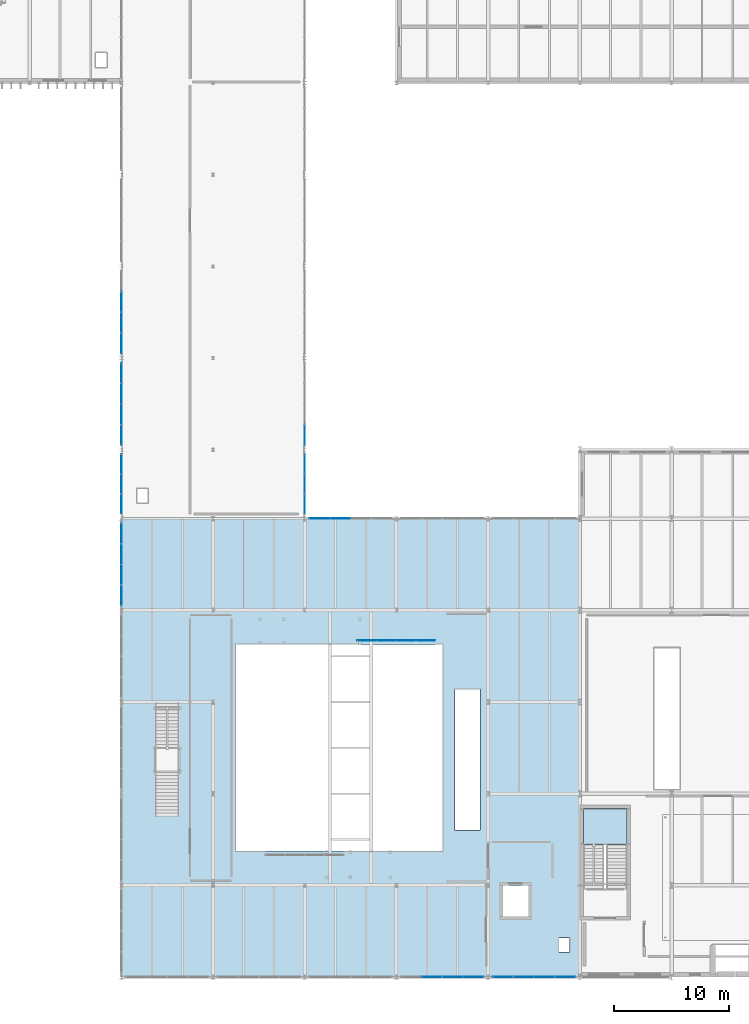
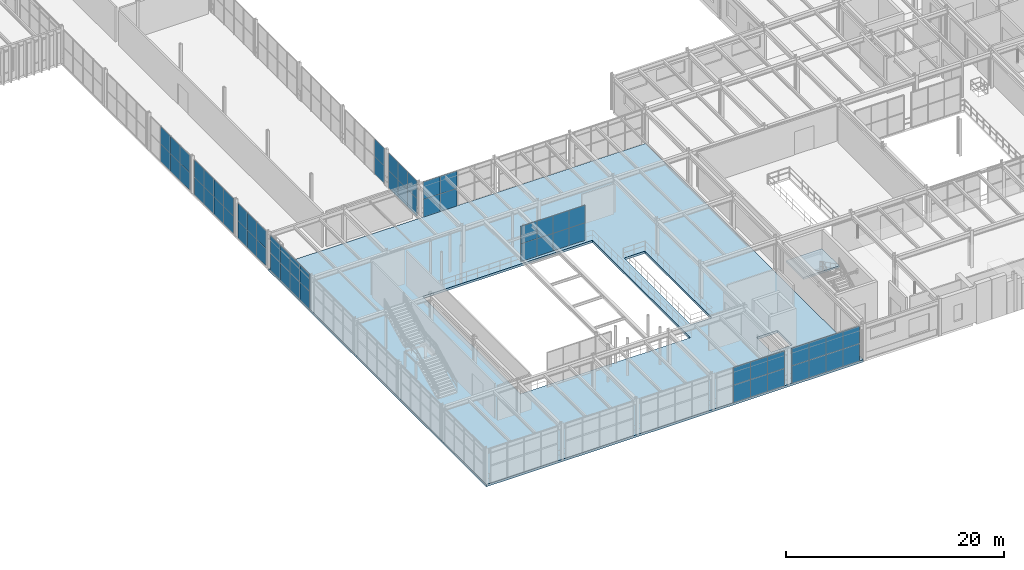
# One storey, part 69 of 122: 62 plates, 2 slabs, 11 elements without a shape of their own.
"""IFC4 building model written with IfcOpenShell, lengths in metres."""

from ifc_helpers import new_model, si_unit, direction, frame, origin, origin_2d, place, context, subcontext, project, spatial, polyline, rectangle, outline, extrude, material, layer, layer_set, type_object, element, aggregate, save


model = new_model("IFC4")

# Units and contexts
model_context = context("Model", 3, precision=1e-05, world=origin(), true_north=direction((0.0, 1.0)))
body_context = subcontext(model_context, "Body", "Model", "MODEL_VIEW")
ifc_project = project(units=[si_unit("LENGTHUNIT", "METRE"), si_unit("AREAUNIT", "SQUARE_METRE"), si_unit("VOLUMEUNIT", "CUBIC_METRE"), si_unit("PLANEANGLEUNIT", "RADIAN"), si_unit("MASSUNIT", "GRAM", prefix="KILO")], contexts=[model_context])

# Site, building, storey
site_placement = place(None, origin())
site = spatial("IfcSite", under=ifc_project, at=site_placement, CompositionType="ELEMENT")
building_placement = place(site_placement, origin())
building = spatial("IfcBuilding", under=site, at=building_placement, Name="Sundkrona Museum", CompositionType="ELEMENT")
storey_placement = place(building_placement, frame((0.0, 0.0, 5.39990234375)))
storey = spatial("IfcBuildingStorey", under=building, at=storey_placement, Name="L01", CompositionType="ELEMENT", Elevation=5.39990234375)

# Curtain wall, plates
ifc_material_1 = material(Name="Unitised Aluminium-Steel and Ceramic-Clad Curtain Walling", Category="steel")
curtain_wall_type_1 = type_object("IfcCurtainWallType", Name="CW-AT-72x38", PredefinedType="NOTDEFINED", material=ifc_material_1)
curtain_wall_1_placement = place(storey_placement, origin())
curtain_wall_1 = element("IfcCurtainWall", 1, at=curtain_wall_1_placement, inside=storey, type_object=curtain_wall_type_1, Name="L01 Curtain Wall CW-L01-031", PredefinedType="NOTDEFINED")
ifc_material_2 = material(Name="Triple Low-E Vision Glazing 32 mm", Category="glass")
ifc_layer_1 = layer(ifc_material_2, 0.031982421875)
ifc_layer_set_1 = layer_set([ifc_layer_1], Name="Triple Low-E Vision Glazing 32 mm")
plate_type_1 = type_object("IfcPlateType", Name="PN-GL-01", PredefinedType="CURTAIN_PANEL", material=ifc_layer_set_1)
plate_1_placement = place(storey_placement, frame((107.10009765625, 0.0, -0.00390625), z_axis=(0.0, 0.0, 1.0), x_axis=(1.0, 0.0, 0.0)))
plate_1 = element("IfcPlate", 2, at=plate_1_placement, type_object=plate_type_1, Name="CW-L01-031 Panel 03", PredefinedType="CURTAIN_PANEL", context=body_context, shape_type="SweptSolid", body=[
    extrude(rectangle(XDim=1.800048828125, YDim=0.031982421875, at=origin_2d()), origin(), (0.0, 0.0, 1.0), 1.97412109375),
])
plate_2_placement = place(storey_placement, frame((107.10009765625, 0.0, 1.969970703125), z_axis=(0.0, 0.0, 1.0), x_axis=(1.0, 0.0, 0.0)))
plate_2 = element("IfcPlate", 3, at=plate_2_placement, type_object=plate_type_1, Name="CW-L01-031 Panel 04", PredefinedType="CURTAIN_PANEL", context=body_context, shape_type="SweptSolid", body=[
    extrude(rectangle(XDim=1.800048828125, YDim=0.031982421875, at=origin_2d()), origin(), (0.0, 0.0, 1.0), 1.97412109375),
])
plate_3_placement = place(storey_placement, frame((108.89990234375, 0.0, -0.00390625), z_axis=(0.0, 0.0, 1.0), x_axis=(1.0, 0.0, 0.0)))
plate_3 = element("IfcPlate", 4, at=plate_3_placement, type_object=plate_type_1, Name="CW-L01-031 Panel 05", PredefinedType="CURTAIN_PANEL", context=body_context, shape_type="SweptSolid", body=[
    extrude(rectangle(XDim=1.800048828125, YDim=0.031982421875, at=origin_2d()), origin(), (0.0, 0.0, 1.0), 1.97412109375),
])
plate_4_placement = place(storey_placement, frame((108.89990234375, 0.0, 1.969970703125), z_axis=(0.0, 0.0, 1.0), x_axis=(1.0, 0.0, 0.0)))
plate_4 = element("IfcPlate", 5, at=plate_4_placement, type_object=plate_type_1, Name="CW-L01-031 Panel 06", PredefinedType="CURTAIN_PANEL", context=body_context, shape_type="SweptSolid", body=[
    extrude(rectangle(XDim=1.800048828125, YDim=0.031982421875, at=origin_2d()), origin(), (0.0, 0.0, 1.0), 1.97412109375),
])
plate_5_placement = place(storey_placement, frame((110.699951171875, 0.0, -0.00390625), z_axis=(0.0, 0.0, 1.0), x_axis=(1.0, 0.0, 0.0)))
plate_5 = element("IfcPlate", 6, at=plate_5_placement, type_object=plate_type_1, Name="CW-L01-031 Panel 07", PredefinedType="CURTAIN_PANEL", context=body_context, shape_type="SweptSolid", body=[
    extrude(rectangle(XDim=1.800048828125, YDim=0.031982421875, at=origin_2d()), origin(), (0.0, 0.0, 1.0), 1.97412109375),
])
plate_6_placement = place(storey_placement, frame((110.699951171875, 0.0, 1.969970703125), z_axis=(0.0, 0.0, 1.0), x_axis=(1.0, 0.0, 0.0)))
plate_6 = element("IfcPlate", 7, at=plate_6_placement, type_object=plate_type_1, Name="CW-L01-031 Panel 08", PredefinedType="CURTAIN_PANEL", context=body_context, shape_type="SweptSolid", body=[
    extrude(rectangle(XDim=1.800048828125, YDim=0.031982421875, at=origin_2d()), origin(), (0.0, 0.0, 1.0), 1.97412109375),
])
aggregate(curtain_wall_1, [plate_1, plate_2, plate_3, plate_4, plate_5, plate_6])

curtain_wall_2_placement = place(storey_placement, origin())
curtain_wall_2 = element("IfcCurtainWall", 8, at=curtain_wall_2_placement, inside=storey, type_object=curtain_wall_type_1, Name="L01 Curtain Wall CW-L01-032", PredefinedType="NOTDEFINED")
plate_7_placement = place(storey_placement, frame((113.300048828125, 0.0, -0.00390625), z_axis=(0.0, 0.0, 1.0), x_axis=(1.0, 0.0, 0.0)))
plate_7 = element("IfcPlate", 9, at=plate_7_placement, type_object=plate_type_1, Name="CW-L01-032 Panel 01", PredefinedType="CURTAIN_PANEL", context=body_context, shape_type="SweptSolid", body=[
    extrude(rectangle(XDim=1.800048828125, YDim=0.031982421875, at=origin_2d()), origin(), (0.0, 0.0, 1.0), 1.97412109375),
])
plate_8_placement = place(storey_placement, frame((113.300048828125, 0.0, 1.969970703125), z_axis=(0.0, 0.0, 1.0), x_axis=(1.0, 0.0, 0.0)))
plate_8 = element("IfcPlate", 10, at=plate_8_placement, type_object=plate_type_1, Name="CW-L01-032 Panel 02", PredefinedType="CURTAIN_PANEL", context=body_context, shape_type="SweptSolid", body=[
    extrude(rectangle(XDim=1.800048828125, YDim=0.031982421875, at=origin_2d()), origin(), (0.0, 0.0, 1.0), 1.97412109375),
])
plate_9_placement = place(storey_placement, frame((115.10009765625, 0.0, -0.00390625), z_axis=(0.0, 0.0, 1.0), x_axis=(1.0, 0.0, 0.0)))
plate_9 = element("IfcPlate", 11, at=plate_9_placement, type_object=plate_type_1, Name="CW-L01-032 Panel 03", PredefinedType="CURTAIN_PANEL", context=body_context, shape_type="SweptSolid", body=[
    extrude(rectangle(XDim=1.800048828125, YDim=0.031982421875, at=origin_2d()), origin(), (0.0, 0.0, 1.0), 1.97412109375),
])
plate_10_placement = place(storey_placement, frame((115.10009765625, 0.0, 1.969970703125), z_axis=(0.0, 0.0, 1.0), x_axis=(1.0, 0.0, 0.0)))
plate_10 = element("IfcPlate", 12, at=plate_10_placement, type_object=plate_type_1, Name="CW-L01-032 Panel 04", PredefinedType="CURTAIN_PANEL", context=body_context, shape_type="SweptSolid", body=[
    extrude(rectangle(XDim=1.800048828125, YDim=0.031982421875, at=origin_2d()), origin(), (0.0, 0.0, 1.0), 1.97412109375),
])
plate_11_placement = place(storey_placement, frame((116.89990234375, 0.0, -0.00390625), z_axis=(0.0, 0.0, 1.0), x_axis=(1.0, 0.0, 0.0)))
plate_11 = element("IfcPlate", 13, at=plate_11_placement, type_object=plate_type_1, Name="CW-L01-032 Panel 05", PredefinedType="CURTAIN_PANEL", context=body_context, shape_type="SweptSolid", body=[
    extrude(rectangle(XDim=1.800048828125, YDim=0.031982421875, at=origin_2d()), origin(), (0.0, 0.0, 1.0), 1.97412109375),
])
plate_12_placement = place(storey_placement, frame((116.89990234375, 0.0, 1.969970703125), z_axis=(0.0, 0.0, 1.0), x_axis=(1.0, 0.0, 0.0)))
plate_12 = element("IfcPlate", 14, at=plate_12_placement, type_object=plate_type_1, Name="CW-L01-032 Panel 06", PredefinedType="CURTAIN_PANEL", context=body_context, shape_type="SweptSolid", body=[
    extrude(rectangle(XDim=1.800048828125, YDim=0.031982421875, at=origin_2d()), origin(), (0.0, 0.0, 1.0), 1.97412109375),
])
plate_13_placement = place(storey_placement, frame((118.699951171875, 0.0, -0.00390625), z_axis=(0.0, 0.0, 1.0), x_axis=(1.0, 0.0, 0.0)))
plate_13 = element("IfcPlate", 15, at=plate_13_placement, type_object=plate_type_1, Name="CW-L01-032 Panel 07", PredefinedType="CURTAIN_PANEL", context=body_context, shape_type="SweptSolid", body=[
    extrude(rectangle(XDim=1.800048828125, YDim=0.031982421875, at=origin_2d()), origin(), (0.0, 0.0, 1.0), 1.97412109375),
])
plate_14_placement = place(storey_placement, frame((118.699951171875, 0.0, 1.969970703125), z_axis=(0.0, 0.0, 1.0), x_axis=(1.0, 0.0, 0.0)))
plate_14 = element("IfcPlate", 16, at=plate_14_placement, type_object=plate_type_1, Name="CW-L01-032 Panel 08", PredefinedType="CURTAIN_PANEL", context=body_context, shape_type="SweptSolid", body=[
    extrude(rectangle(XDim=1.800048828125, YDim=0.031982421875, at=origin_2d()), origin(), (0.0, 0.0, 1.0), 1.97412109375),
])
aggregate(curtain_wall_2, [plate_7, plate_8, plate_9, plate_10, plate_11, plate_12, plate_13, plate_14])

curtain_wall_3_placement = place(storey_placement, origin())
curtain_wall_3 = element("IfcCurtainWall", 17, at=curtain_wall_3_placement, inside=storey, type_object=curtain_wall_type_1, Name="L01 Curtain Wall CW-L01-037", PredefinedType="NOTDEFINED")
plate_15_placement = place(storey_placement, frame((80.0, 33.300048828125, -0.00390625), z_axis=(0.0, 0.0, 1.0), x_axis=(0.0, 1.0, 0.0)))
plate_15 = element("IfcPlate", 18, at=plate_15_placement, type_object=plate_type_1, Name="CW-L01-037 Panel 01", PredefinedType="CURTAIN_PANEL", context=body_context, shape_type="SweptSolid", body=[
    extrude(rectangle(XDim=1.800048828125, YDim=0.031982421875, at=origin_2d()), origin(), (0.0, 0.0, 1.0), 1.97412109375),
])
plate_16_placement = place(storey_placement, frame((80.0, 33.300048828125, 1.969970703125), z_axis=(0.0, 0.0, 1.0), x_axis=(0.0, 1.0, 0.0)))
plate_16 = element("IfcPlate", 19, at=plate_16_placement, type_object=plate_type_1, Name="CW-L01-037 Panel 02", PredefinedType="CURTAIN_PANEL", context=body_context, shape_type="SweptSolid", body=[
    extrude(rectangle(XDim=1.800048828125, YDim=0.031982421875, at=origin_2d()), origin(), (0.0, 0.0, 1.0), 1.97412109375),
])
plate_17_placement = place(storey_placement, frame((80.0, 35.10009765625, -0.00390625), z_axis=(0.0, 0.0, 1.0), x_axis=(0.0, 1.0, 0.0)))
plate_17 = element("IfcPlate", 20, at=plate_17_placement, type_object=plate_type_1, Name="CW-L01-037 Panel 03", PredefinedType="CURTAIN_PANEL", context=body_context, shape_type="SweptSolid", body=[
    extrude(rectangle(XDim=1.800048828125, YDim=0.031982421875, at=origin_2d()), origin(), (0.0, 0.0, 1.0), 1.97412109375),
])
plate_18_placement = place(storey_placement, frame((80.0, 35.10009765625, 1.969970703125), z_axis=(0.0, 0.0, 1.0), x_axis=(0.0, 1.0, 0.0)))
plate_18 = element("IfcPlate", 21, at=plate_18_placement, type_object=plate_type_1, Name="CW-L01-037 Panel 04", PredefinedType="CURTAIN_PANEL", context=body_context, shape_type="SweptSolid", body=[
    extrude(rectangle(XDim=1.800048828125, YDim=0.031982421875, at=origin_2d()), origin(), (0.0, 0.0, 1.0), 1.97412109375),
])
plate_19_placement = place(storey_placement, frame((80.0, 36.89990234375, -0.00390625), z_axis=(0.0, 0.0, 1.0), x_axis=(0.0, 1.0, 0.0)))
plate_19 = element("IfcPlate", 22, at=plate_19_placement, type_object=plate_type_1, Name="CW-L01-037 Panel 05", PredefinedType="CURTAIN_PANEL", context=body_context, shape_type="SweptSolid", body=[
    extrude(rectangle(XDim=1.800048828125, YDim=0.031982421875, at=origin_2d()), origin(), (0.0, 0.0, 1.0), 1.97412109375),
])
plate_20_placement = place(storey_placement, frame((80.0, 36.89990234375, 1.969970703125), z_axis=(0.0, 0.0, 1.0), x_axis=(0.0, 1.0, 0.0)))
plate_20 = element("IfcPlate", 23, at=plate_20_placement, type_object=plate_type_1, Name="CW-L01-037 Panel 06", PredefinedType="CURTAIN_PANEL", context=body_context, shape_type="SweptSolid", body=[
    extrude(rectangle(XDim=1.800048828125, YDim=0.031982421875, at=origin_2d()), origin(), (0.0, 0.0, 1.0), 1.97412109375),
])
plate_21_placement = place(storey_placement, frame((80.0, 38.699951171875, -0.00390625), z_axis=(0.0, 0.0, 1.0), x_axis=(0.0, 1.0, 0.0)))
plate_21 = element("IfcPlate", 24, at=plate_21_placement, type_object=plate_type_1, Name="CW-L01-037 Panel 07", PredefinedType="CURTAIN_PANEL", context=body_context, shape_type="SweptSolid", body=[
    extrude(rectangle(XDim=1.800048828125, YDim=0.031982421875, at=origin_2d()), origin(), (0.0, 0.0, 1.0), 1.97412109375),
])
plate_22_placement = place(storey_placement, frame((80.0, 38.699951171875, 1.969970703125), z_axis=(0.0, 0.0, 1.0), x_axis=(0.0, 1.0, 0.0)))
plate_22 = element("IfcPlate", 25, at=plate_22_placement, type_object=plate_type_1, Name="CW-L01-037 Panel 08", PredefinedType="CURTAIN_PANEL", context=body_context, shape_type="SweptSolid", body=[
    extrude(rectangle(XDim=1.800048828125, YDim=0.031982421875, at=origin_2d()), origin(), (0.0, 0.0, 1.0), 1.97412109375),
])
aggregate(curtain_wall_3, [plate_15, plate_16, plate_17, plate_18, plate_19, plate_20, plate_21, plate_22])

curtain_wall_4_placement = place(storey_placement, origin())
curtain_wall_4 = element("IfcCurtainWall", 26, at=curtain_wall_4_placement, inside=storey, type_object=curtain_wall_type_1, Name="L01 Curtain Wall CW-L01-038", PredefinedType="NOTDEFINED")
plate_23_placement = place(storey_placement, frame((97.300048828125, 40.0, -0.00390625), z_axis=(0.0, 0.0, 1.0), x_axis=(1.0, 0.0, 0.0)))
plate_23 = element("IfcPlate", 27, at=plate_23_placement, type_object=plate_type_1, Name="CW-L01-038 Panel 01", PredefinedType="CURTAIN_PANEL", context=body_context, shape_type="SweptSolid", body=[
    extrude(rectangle(XDim=1.800048828125, YDim=0.031982421875, at=origin_2d()), origin(), (0.0, 0.0, 1.0), 1.97412109375),
])
plate_24_placement = place(storey_placement, frame((97.300048828125, 40.0, 1.969970703125), z_axis=(0.0, 0.0, 1.0), x_axis=(1.0, 0.0, 0.0)))
plate_24 = element("IfcPlate", 28, at=plate_24_placement, type_object=plate_type_1, Name="CW-L01-038 Panel 02", PredefinedType="CURTAIN_PANEL", context=body_context, shape_type="SweptSolid", body=[
    extrude(rectangle(XDim=1.800048828125, YDim=0.031982421875, at=origin_2d()), origin(), (0.0, 0.0, 1.0), 1.97412109375),
])
plate_25_placement = place(storey_placement, frame((99.10009765625, 40.0, -0.00390625), z_axis=(0.0, 0.0, 1.0), x_axis=(1.0, 0.0, 0.0)))
plate_25 = element("IfcPlate", 29, at=plate_25_placement, type_object=plate_type_1, Name="CW-L01-038 Panel 03", PredefinedType="CURTAIN_PANEL", context=body_context, shape_type="SweptSolid", body=[
    extrude(rectangle(XDim=1.800048828125, YDim=0.031982421875, at=origin_2d()), origin(), (0.0, 0.0, 1.0), 1.97412109375),
])
plate_26_placement = place(storey_placement, frame((99.10009765625, 40.0, 1.969970703125), z_axis=(0.0, 0.0, 1.0), x_axis=(1.0, 0.0, 0.0)))
plate_26 = element("IfcPlate", 30, at=plate_26_placement, type_object=plate_type_1, Name="CW-L01-038 Panel 04", PredefinedType="CURTAIN_PANEL", context=body_context, shape_type="SweptSolid", body=[
    extrude(rectangle(XDim=1.800048828125, YDim=0.031982421875, at=origin_2d()), origin(), (0.0, 0.0, 1.0), 1.97412109375),
])
aggregate(curtain_wall_4, [plate_23, plate_24, plate_25, plate_26])

curtain_wall_type_2 = type_object("IfcCurtainWallType", Name="CW-PS-54x38", PredefinedType="NOTDEFINED", material=ifc_material_1)
curtain_wall_5_placement = place(storey_placement, origin())
curtain_wall_5 = element("IfcCurtainWall", 31, at=curtain_wall_5_placement, inside=storey, type_object=curtain_wall_type_2, Name="L01 Curtain Wall CW-L01-108", PredefinedType="NOTDEFINED")
plate_27_placement = place(storey_placement, frame((80.0, 41.2666015625, -0.00390625), z_axis=(0.0, 0.0, 1.0), x_axis=(0.0, 1.0, 0.0)))
plate_27 = element("IfcPlate", 32, at=plate_27_placement, type_object=plate_type_1, Name="CW-L01-108 Panel 01", PredefinedType="CURTAIN_PANEL", context=body_context, shape_type="SweptSolid", body=[
    extrude(rectangle(XDim=1.7333984375, YDim=0.031982421875, at=origin_2d()), origin(), (0.0, 0.0, 1.0), 1.964111328125),
])
plate_28_placement = place(storey_placement, frame((80.0, 41.2666015625, 1.9599609375), z_axis=(0.0, 0.0, 1.0), x_axis=(0.0, 1.0, 0.0)))
plate_28 = element("IfcPlate", 33, at=plate_28_placement, type_object=plate_type_1, Name="CW-L01-108 Panel 02", PredefinedType="CURTAIN_PANEL", context=body_context, shape_type="SweptSolid", body=[
    extrude(rectangle(XDim=1.7333984375, YDim=0.031982421875, at=origin_2d()), origin(), (0.0, 0.0, 1.0), 1.964111328125),
])
plate_29_placement = place(storey_placement, frame((80.0, 43.0, -0.00390625), z_axis=(0.0, 0.0, 1.0), x_axis=(0.0, 1.0, 0.0)))
plate_29 = element("IfcPlate", 34, at=plate_29_placement, type_object=plate_type_1, Name="CW-L01-108 Panel 03", PredefinedType="CURTAIN_PANEL", context=body_context, shape_type="SweptSolid", body=[
    extrude(rectangle(XDim=1.7333984375, YDim=0.031982421875, at=origin_2d()), origin(), (0.0, 0.0, 1.0), 1.964111328125),
])
plate_30_placement = place(storey_placement, frame((80.0, 43.0, 1.9599609375), z_axis=(0.0, 0.0, 1.0), x_axis=(0.0, 1.0, 0.0)))
plate_30 = element("IfcPlate", 35, at=plate_30_placement, type_object=plate_type_1, Name="CW-L01-108 Panel 04", PredefinedType="CURTAIN_PANEL", context=body_context, shape_type="SweptSolid", body=[
    extrude(rectangle(XDim=1.7333984375, YDim=0.031982421875, at=origin_2d()), origin(), (0.0, 0.0, 1.0), 1.964111328125),
])
plate_31_placement = place(storey_placement, frame((80.0, 44.7333984375, -0.00390625), z_axis=(0.0, 0.0, 1.0), x_axis=(0.0, 1.0, 0.0)))
plate_31 = element("IfcPlate", 36, at=plate_31_placement, type_object=plate_type_1, Name="CW-L01-108 Panel 05", PredefinedType="CURTAIN_PANEL", context=body_context, shape_type="SweptSolid", body=[
    extrude(rectangle(XDim=1.7333984375, YDim=0.031982421875, at=origin_2d()), origin(), (0.0, 0.0, 1.0), 1.964111328125),
])
plate_32_placement = place(storey_placement, frame((80.0, 44.7333984375, 1.9599609375), z_axis=(0.0, 0.0, 1.0), x_axis=(0.0, 1.0, 0.0)))
plate_32 = element("IfcPlate", 37, at=plate_32_placement, type_object=plate_type_1, Name="CW-L01-108 Panel 06", PredefinedType="CURTAIN_PANEL", context=body_context, shape_type="SweptSolid", body=[
    extrude(rectangle(XDim=1.7333984375, YDim=0.031982421875, at=origin_2d()), origin(), (0.0, 0.0, 1.0), 1.964111328125),
])
aggregate(curtain_wall_5, [plate_27, plate_28, plate_29, plate_30, plate_31, plate_32])

curtain_wall_6_placement = place(storey_placement, origin())
curtain_wall_6 = element("IfcCurtainWall", 38, at=curtain_wall_6_placement, inside=storey, type_object=curtain_wall_type_2, Name="L01 Curtain Wall CW-L01-109", PredefinedType="NOTDEFINED")
plate_33_placement = place(storey_placement, frame((96.0, 41.2666015625, -0.00390625), z_axis=(0.0, 0.0, 1.0), x_axis=(0.0, 1.0, 0.0)))
plate_33 = element("IfcPlate", 39, at=plate_33_placement, type_object=plate_type_1, Name="CW-L01-109 Panel 01", PredefinedType="CURTAIN_PANEL", context=body_context, shape_type="SweptSolid", body=[
    extrude(rectangle(XDim=1.7333984375, YDim=0.031982421875, at=origin_2d()), origin(), (0.0, 0.0, 1.0), 1.964111328125),
])
plate_34_placement = place(storey_placement, frame((96.0, 41.2666015625, 1.9599609375), z_axis=(0.0, 0.0, 1.0), x_axis=(0.0, 1.0, 0.0)))
plate_34 = element("IfcPlate", 40, at=plate_34_placement, type_object=plate_type_1, Name="CW-L01-109 Panel 02", PredefinedType="CURTAIN_PANEL", context=body_context, shape_type="SweptSolid", body=[
    extrude(rectangle(XDim=1.7333984375, YDim=0.031982421875, at=origin_2d()), origin(), (0.0, 0.0, 1.0), 1.964111328125),
])
plate_35_placement = place(storey_placement, frame((96.0, 43.0, -0.00390625), z_axis=(0.0, 0.0, 1.0), x_axis=(0.0, 1.0, 0.0)))
plate_35 = element("IfcPlate", 41, at=plate_35_placement, type_object=plate_type_1, Name="CW-L01-109 Panel 03", PredefinedType="CURTAIN_PANEL", context=body_context, shape_type="SweptSolid", body=[
    extrude(rectangle(XDim=1.7333984375, YDim=0.031982421875, at=origin_2d()), origin(), (0.0, 0.0, 1.0), 1.964111328125),
])
plate_36_placement = place(storey_placement, frame((96.0, 43.0, 1.9599609375), z_axis=(0.0, 0.0, 1.0), x_axis=(0.0, 1.0, 0.0)))
plate_36 = element("IfcPlate", 42, at=plate_36_placement, type_object=plate_type_1, Name="CW-L01-109 Panel 04", PredefinedType="CURTAIN_PANEL", context=body_context, shape_type="SweptSolid", body=[
    extrude(rectangle(XDim=1.7333984375, YDim=0.031982421875, at=origin_2d()), origin(), (0.0, 0.0, 1.0), 1.964111328125),
])
plate_37_placement = place(storey_placement, frame((96.0, 44.7333984375, -0.00390625), z_axis=(0.0, 0.0, 1.0), x_axis=(0.0, 1.0, 0.0)))
plate_37 = element("IfcPlate", 43, at=plate_37_placement, type_object=plate_type_1, Name="CW-L01-109 Panel 05", PredefinedType="CURTAIN_PANEL", context=body_context, shape_type="SweptSolid", body=[
    extrude(rectangle(XDim=1.7333984375, YDim=0.031982421875, at=origin_2d()), origin(), (0.0, 0.0, 1.0), 1.964111328125),
])
plate_38_placement = place(storey_placement, frame((96.0, 44.7333984375, 1.9599609375), z_axis=(0.0, 0.0, 1.0), x_axis=(0.0, 1.0, 0.0)))
plate_38 = element("IfcPlate", 44, at=plate_38_placement, type_object=plate_type_1, Name="CW-L01-109 Panel 06", PredefinedType="CURTAIN_PANEL", context=body_context, shape_type="SweptSolid", body=[
    extrude(rectangle(XDim=1.7333984375, YDim=0.031982421875, at=origin_2d()), origin(), (0.0, 0.0, 1.0), 1.964111328125),
])
aggregate(curtain_wall_6, [plate_33, plate_34, plate_35, plate_36, plate_37, plate_38])

curtain_wall_7_placement = place(storey_placement, origin())
curtain_wall_7 = element("IfcCurtainWall", 45, at=curtain_wall_7_placement, inside=storey, type_object=curtain_wall_type_2, Name="L01 Curtain Wall CW-L01-110", PredefinedType="NOTDEFINED")
plate_39_placement = place(storey_placement, frame((80.0, 47.300048828125, -0.00390625), z_axis=(0.0, 0.0, 1.0), x_axis=(0.0, 1.0, 0.0)))
plate_39 = element("IfcPlate", 46, at=plate_39_placement, type_object=plate_type_1, Name="CW-L01-110 Panel 01", PredefinedType="CURTAIN_PANEL", context=body_context, shape_type="SweptSolid", body=[
    extrude(rectangle(XDim=1.800048828125, YDim=0.031982421875, at=origin_2d()), origin(), (0.0, 0.0, 1.0), 1.964111328125),
])
plate_40_placement = place(storey_placement, frame((80.0, 47.300048828125, 1.9599609375), z_axis=(0.0, 0.0, 1.0), x_axis=(0.0, 1.0, 0.0)))
plate_40 = element("IfcPlate", 47, at=plate_40_placement, type_object=plate_type_1, Name="CW-L01-110 Panel 02", PredefinedType="CURTAIN_PANEL", context=body_context, shape_type="SweptSolid", body=[
    extrude(rectangle(XDim=1.800048828125, YDim=0.031982421875, at=origin_2d()), origin(), (0.0, 0.0, 1.0), 1.964111328125),
])
plate_41_placement = place(storey_placement, frame((80.0, 49.10009765625, -0.00390625), z_axis=(0.0, 0.0, 1.0), x_axis=(0.0, 1.0, 0.0)))
plate_41 = element("IfcPlate", 48, at=plate_41_placement, type_object=plate_type_1, Name="CW-L01-110 Panel 03", PredefinedType="CURTAIN_PANEL", context=body_context, shape_type="SweptSolid", body=[
    extrude(rectangle(XDim=1.800048828125, YDim=0.031982421875, at=origin_2d()), origin(), (0.0, 0.0, 1.0), 1.964111328125),
])
plate_42_placement = place(storey_placement, frame((80.0, 49.10009765625, 1.9599609375), z_axis=(0.0, 0.0, 1.0), x_axis=(0.0, 1.0, 0.0)))
plate_42 = element("IfcPlate", 49, at=plate_42_placement, type_object=plate_type_1, Name="CW-L01-110 Panel 04", PredefinedType="CURTAIN_PANEL", context=body_context, shape_type="SweptSolid", body=[
    extrude(rectangle(XDim=1.800048828125, YDim=0.031982421875, at=origin_2d()), origin(), (0.0, 0.0, 1.0), 1.964111328125),
])
plate_43_placement = place(storey_placement, frame((80.0, 50.89990234375, -0.00390625), z_axis=(0.0, 0.0, 1.0), x_axis=(0.0, 1.0, 0.0)))
plate_43 = element("IfcPlate", 50, at=plate_43_placement, type_object=plate_type_1, Name="CW-L01-110 Panel 05", PredefinedType="CURTAIN_PANEL", context=body_context, shape_type="SweptSolid", body=[
    extrude(rectangle(XDim=1.800048828125, YDim=0.031982421875, at=origin_2d()), origin(), (0.0, 0.0, 1.0), 1.964111328125),
])
plate_44_placement = place(storey_placement, frame((80.0, 50.89990234375, 1.9599609375), z_axis=(0.0, 0.0, 1.0), x_axis=(0.0, 1.0, 0.0)))
plate_44 = element("IfcPlate", 51, at=plate_44_placement, type_object=plate_type_1, Name="CW-L01-110 Panel 06", PredefinedType="CURTAIN_PANEL", context=body_context, shape_type="SweptSolid", body=[
    extrude(rectangle(XDim=1.800048828125, YDim=0.031982421875, at=origin_2d()), origin(), (0.0, 0.0, 1.0), 1.964111328125),
])
plate_45_placement = place(storey_placement, frame((80.0, 52.699951171875, -0.00390625), z_axis=(0.0, 0.0, 1.0), x_axis=(0.0, 1.0, 0.0)))
plate_45 = element("IfcPlate", 52, at=plate_45_placement, type_object=plate_type_1, Name="CW-L01-110 Panel 07", PredefinedType="CURTAIN_PANEL", context=body_context, shape_type="SweptSolid", body=[
    extrude(rectangle(XDim=1.800048828125, YDim=0.031982421875, at=origin_2d()), origin(), (0.0, 0.0, 1.0), 1.964111328125),
])
plate_46_placement = place(storey_placement, frame((80.0, 52.699951171875, 1.9599609375), z_axis=(0.0, 0.0, 1.0), x_axis=(0.0, 1.0, 0.0)))
plate_46 = element("IfcPlate", 53, at=plate_46_placement, type_object=plate_type_1, Name="CW-L01-110 Panel 08", PredefinedType="CURTAIN_PANEL", context=body_context, shape_type="SweptSolid", body=[
    extrude(rectangle(XDim=1.800048828125, YDim=0.031982421875, at=origin_2d()), origin(), (0.0, 0.0, 1.0), 1.964111328125),
])
aggregate(curtain_wall_7, [plate_39, plate_40, plate_41, plate_42, plate_43, plate_44, plate_45, plate_46])

curtain_wall_8_placement = place(storey_placement, origin())
curtain_wall_8 = element("IfcCurtainWall", 54, at=curtain_wall_8_placement, inside=storey, type_object=curtain_wall_type_2, Name="L01 Curtain Wall CW-L01-111", PredefinedType="NOTDEFINED")
plate_47_placement = place(storey_placement, frame((96.0, 47.300048828125, -0.00390625), z_axis=(0.0, 0.0, 1.0), x_axis=(0.0, 1.0, 0.0)))
plate_47 = element("IfcPlate", 55, at=plate_47_placement, type_object=plate_type_1, Name="CW-L01-111 Panel 01", PredefinedType="CURTAIN_PANEL", context=body_context, shape_type="SweptSolid", body=[
    extrude(rectangle(XDim=1.800048828125, YDim=0.031982421875, at=origin_2d()), origin(), (0.0, 0.0, 1.0), 1.964111328125),
])
plate_48_placement = place(storey_placement, frame((96.0, 47.300048828125, 1.9599609375), z_axis=(0.0, 0.0, 1.0), x_axis=(0.0, 1.0, 0.0)))
plate_48 = element("IfcPlate", 56, at=plate_48_placement, type_object=plate_type_1, Name="CW-L01-111 Panel 02", PredefinedType="CURTAIN_PANEL", context=body_context, shape_type="SweptSolid", body=[
    extrude(rectangle(XDim=1.800048828125, YDim=0.031982421875, at=origin_2d()), origin(), (0.0, 0.0, 1.0), 1.964111328125),
])
aggregate(curtain_wall_8, [plate_47, plate_48])

curtain_wall_9_placement = place(storey_placement, origin())
curtain_wall_9 = element("IfcCurtainWall", 57, at=curtain_wall_9_placement, inside=storey, type_object=curtain_wall_type_2, Name="L01 Curtain Wall CW-L01-112", PredefinedType="NOTDEFINED")
plate_49_placement = place(storey_placement, frame((80.0, 55.300048828125, -0.00390625), z_axis=(0.0, 0.0, 1.0), x_axis=(0.0, 1.0, 0.0)))
plate_49 = element("IfcPlate", 58, at=plate_49_placement, type_object=plate_type_1, Name="CW-L01-112 Panel 01", PredefinedType="CURTAIN_PANEL", context=body_context, shape_type="SweptSolid", body=[
    extrude(rectangle(XDim=1.800048828125, YDim=0.031982421875, at=origin_2d()), origin(), (0.0, 0.0, 1.0), 1.964111328125),
])
plate_50_placement = place(storey_placement, frame((80.0, 55.300048828125, 1.9599609375), z_axis=(0.0, 0.0, 1.0), x_axis=(0.0, 1.0, 0.0)))
plate_50 = element("IfcPlate", 59, at=plate_50_placement, type_object=plate_type_1, Name="CW-L01-112 Panel 02", PredefinedType="CURTAIN_PANEL", context=body_context, shape_type="SweptSolid", body=[
    extrude(rectangle(XDim=1.800048828125, YDim=0.031982421875, at=origin_2d()), origin(), (0.0, 0.0, 1.0), 1.964111328125),
])
plate_51_placement = place(storey_placement, frame((80.0, 57.10009765625, -0.00390625), z_axis=(0.0, 0.0, 1.0), x_axis=(0.0, 1.0, 0.0)))
plate_51 = element("IfcPlate", 60, at=plate_51_placement, type_object=plate_type_1, Name="CW-L01-112 Panel 03", PredefinedType="CURTAIN_PANEL", context=body_context, shape_type="SweptSolid", body=[
    extrude(rectangle(XDim=1.800048828125, YDim=0.031982421875, at=origin_2d()), origin(), (0.0, 0.0, 1.0), 1.964111328125),
])
plate_52_placement = place(storey_placement, frame((80.0, 57.10009765625, 1.9599609375), z_axis=(0.0, 0.0, 1.0), x_axis=(0.0, 1.0, 0.0)))
plate_52 = element("IfcPlate", 61, at=plate_52_placement, type_object=plate_type_1, Name="CW-L01-112 Panel 04", PredefinedType="CURTAIN_PANEL", context=body_context, shape_type="SweptSolid", body=[
    extrude(rectangle(XDim=1.800048828125, YDim=0.031982421875, at=origin_2d()), origin(), (0.0, 0.0, 1.0), 1.964111328125),
])
plate_53_placement = place(storey_placement, frame((80.0, 58.89990234375, -0.00390625), z_axis=(0.0, 0.0, 1.0), x_axis=(0.0, 1.0, 0.0)))
plate_53 = element("IfcPlate", 62, at=plate_53_placement, type_object=plate_type_1, Name="CW-L01-112 Panel 05", PredefinedType="CURTAIN_PANEL", context=body_context, shape_type="SweptSolid", body=[
    extrude(rectangle(XDim=1.800048828125, YDim=0.031982421875, at=origin_2d()), origin(), (0.0, 0.0, 1.0), 1.964111328125),
])
plate_54_placement = place(storey_placement, frame((80.0, 58.89990234375, 1.9599609375), z_axis=(0.0, 0.0, 1.0), x_axis=(0.0, 1.0, 0.0)))
plate_54 = element("IfcPlate", 63, at=plate_54_placement, type_object=plate_type_1, Name="CW-L01-112 Panel 06", PredefinedType="CURTAIN_PANEL", context=body_context, shape_type="SweptSolid", body=[
    extrude(rectangle(XDim=1.800048828125, YDim=0.031982421875, at=origin_2d()), origin(), (0.0, 0.0, 1.0), 1.964111328125),
])
aggregate(curtain_wall_9, [plate_49, plate_50, plate_51, plate_52, plate_53, plate_54])

curtain_wall_type_3 = type_object("IfcCurtainWallType", Name="CW-IN-68x36", PredefinedType="NOTDEFINED", material=ifc_material_1)
curtain_wall_10_placement = place(storey_placement, origin())
curtain_wall_10 = element("IfcCurtainWall", 64, at=curtain_wall_10_placement, inside=storey, type_object=curtain_wall_type_3, Name="L01 Curtain Wall CW-L01-042", PredefinedType="NOTDEFINED")
ifc_material_3 = material(Name="Tempered Laminated Fire Glass 32 mm", Category="glass")
ifc_layer_2 = layer(ifc_material_3, 0.031982421875)
ifc_layer_set_2 = layer_set([ifc_layer_2], Name="Tempered Laminated Fire Glass 32 mm")
plate_type_2 = type_object("IfcPlateType", Name="PN-IN-01", PredefinedType="CURTAIN_PANEL", material=ifc_layer_set_2)
plate_55_placement = place(storey_placement, frame((101.449951171875, 29.35009765625, -0.00390625), z_axis=(0.0, 0.0, 1.0), x_axis=(1.0, 0.0, 0.0)))
plate_55 = element("IfcPlate", 65, at=plate_55_placement, type_object=plate_type_2, Name="CW-L01-042 Panel 01", PredefinedType="CURTAIN_PANEL", context=body_context, shape_type="SweptSolid", body=[
    extrude(rectangle(XDim=1.699951171875, YDim=0.031982421875, at=origin_2d()), origin(), (0.0, 0.0, 1.0), 1.97412109375),
])
plate_56_placement = place(storey_placement, frame((101.449951171875, 29.35009765625, 1.969970703125), z_axis=(0.0, 0.0, 1.0), x_axis=(1.0, 0.0, 0.0)))
plate_56 = element("IfcPlate", 66, at=plate_56_placement, type_object=plate_type_2, Name="CW-L01-042 Panel 02", PredefinedType="CURTAIN_PANEL", context=body_context, shape_type="SweptSolid", body=[
    extrude(rectangle(XDim=1.699951171875, YDim=0.031982421875, at=origin_2d()), origin(), (0.0, 0.0, 1.0), 1.97412109375),
])
plate_57_placement = place(storey_placement, frame((103.14990234375, 29.35009765625, -0.00390625), z_axis=(0.0, 0.0, 1.0), x_axis=(1.0, 0.0, 0.0)))
plate_57 = element("IfcPlate", 67, at=plate_57_placement, type_object=plate_type_2, Name="CW-L01-042 Panel 03", PredefinedType="CURTAIN_PANEL", context=body_context, shape_type="SweptSolid", body=[
    extrude(rectangle(XDim=1.699951171875, YDim=0.031982421875, at=origin_2d()), origin(), (0.0, 0.0, 1.0), 1.97412109375),
])
plate_58_placement = place(storey_placement, frame((103.14990234375, 29.35009765625, 1.969970703125), z_axis=(0.0, 0.0, 1.0), x_axis=(1.0, 0.0, 0.0)))
plate_58 = element("IfcPlate", 68, at=plate_58_placement, type_object=plate_type_2, Name="CW-L01-042 Panel 04", PredefinedType="CURTAIN_PANEL", context=body_context, shape_type="SweptSolid", body=[
    extrude(rectangle(XDim=1.699951171875, YDim=0.031982421875, at=origin_2d()), origin(), (0.0, 0.0, 1.0), 1.97412109375),
])
plate_59_placement = place(storey_placement, frame((104.85009765625, 29.35009765625, -0.00390625), z_axis=(0.0, 0.0, 1.0), x_axis=(1.0, 0.0, 0.0)))
plate_59 = element("IfcPlate", 69, at=plate_59_placement, type_object=plate_type_2, Name="CW-L01-042 Panel 05", PredefinedType="CURTAIN_PANEL", context=body_context, shape_type="SweptSolid", body=[
    extrude(rectangle(XDim=1.699951171875, YDim=0.031982421875, at=origin_2d()), origin(), (0.0, 0.0, 1.0), 1.97412109375),
])
plate_60_placement = place(storey_placement, frame((104.85009765625, 29.35009765625, 1.969970703125), z_axis=(0.0, 0.0, 1.0), x_axis=(1.0, 0.0, 0.0)))
plate_60 = element("IfcPlate", 70, at=plate_60_placement, type_object=plate_type_2, Name="CW-L01-042 Panel 06", PredefinedType="CURTAIN_PANEL", context=body_context, shape_type="SweptSolid", body=[
    extrude(rectangle(XDim=1.699951171875, YDim=0.031982421875, at=origin_2d()), origin(), (0.0, 0.0, 1.0), 1.97412109375),
])
plate_61_placement = place(storey_placement, frame((106.550048828125, 29.35009765625, -0.00390625), z_axis=(0.0, 0.0, 1.0), x_axis=(1.0, 0.0, 0.0)))
plate_61 = element("IfcPlate", 71, at=plate_61_placement, type_object=plate_type_2, Name="CW-L01-042 Panel 07", PredefinedType="CURTAIN_PANEL", context=body_context, shape_type="SweptSolid", body=[
    extrude(rectangle(XDim=1.699951171875, YDim=0.031982421875, at=origin_2d()), origin(), (0.0, 0.0, 1.0), 1.97412109375),
])
plate_62_placement = place(storey_placement, frame((106.550048828125, 29.35009765625, 1.969970703125), z_axis=(0.0, 0.0, 1.0), x_axis=(1.0, 0.0, 0.0)))
plate_62 = element("IfcPlate", 72, at=plate_62_placement, type_object=plate_type_2, Name="CW-L01-042 Panel 08", PredefinedType="CURTAIN_PANEL", context=body_context, shape_type="SweptSolid", body=[
    extrude(rectangle(XDim=1.699951171875, YDim=0.031982421875, at=origin_2d()), origin(), (0.0, 0.0, 1.0), 1.97412109375),
])
aggregate(curtain_wall_10, [plate_55, plate_56, plate_57, plate_58, plate_59, plate_60, plate_61, plate_62])

# Slab
ifc_material_4 = material(Name="Concrete C35/45", Category="concrete")
ifc_layer_3 = layer(ifc_material_4, 0.260009765625)
ifc_layer_set_3 = layer_set([ifc_layer_3], Name="Concrete C35/45")
slab_type_1 = type_object("IfcSlabType", Name="SL-FL-260", PredefinedType="FLOOR", material=ifc_layer_set_3)
slab_1_placement = place(storey_placement, frame((0.0, 0.0, -0.260009765625)))
element("IfcSlab", 73, at=slab_1_placement, inside=storey, type_object=slab_type_1, Name="L01 Atrium and education composite floor slab 260 mm (SL-L01-V2A)", PredefinedType="FLOOR", context=body_context, shape_type="SweptSolid", body=[
    extrude(outline(polyline([(80.0, 0.0), (120.0, 0.0), (120.0, 40.0), (80.0, 40.0), (80.0, 0.0)]), holes=[polyline([(119.10009765625, 2.199951171875), (118.199951171875, 2.199951171875), (118.199951171875, 3.39990234375), (119.10009765625, 3.39990234375), (119.10009765625, 2.199951171875)]), polyline([(115.5, 5.300048828125), (113.300048828125, 5.300048828125), (113.300048828125, 8.0), (115.5, 8.0), (115.5, 5.300048828125)]), polyline([(111.300048828125, 12.820068359375), (109.10009765625, 12.820068359375), (109.10009765625, 25.080078125), (111.300048828125, 25.080078125), (111.300048828125, 12.820068359375)]), polyline([(108.0, 11.0), (90.0, 11.0), (90.0, 29.0), (108.0, 29.0), (108.0, 11.0)])]), origin(), (0.0, 0.0, 1.0), 0.260009765625),
])

# Stair, slab
stair_type = type_object("IfcStairType", Name="ST-DL-420", PredefinedType="HALF_TURN_STAIR", material=ifc_material_4)
stair_placement = place(storey_placement, origin())
stair = element("IfcStair", 74, at=stair_placement, inside=storey, type_object=stair_type, Name="L01 Protected Stair Core ST-2", PredefinedType="HALF_TURN_STAIR")
ifc_layer_4 = layer(ifc_material_4, 0.219970703125)
ifc_layer_set_4 = layer_set([ifc_layer_4], Name="Concrete C35/45")
slab_type_2 = type_object("IfcSlabType", Name="SL-LN-220", PredefinedType="LANDING", material=ifc_layer_set_4)
slab_2_placement = place(storey_placement, frame((0.0, 0.0, 1.880126953125)))
slab_2 = element("IfcSlab", 75, at=slab_2_placement, type_object=slab_type_2, Name="L01 Protected Stair Core ST-2 Landing 1", PredefinedType="LANDING", context=body_context, shape_type="SweptSolid", body=[
    extrude(outline(polyline([(124.10009765625, 11.534912109375), (124.10009765625, 14.699951171875), (120.300048828125, 14.699951171875), (120.300048828125, 11.534912109375), (124.10009765625, 11.534912109375)])), origin(), (0.0, 0.0, 1.0), 0.219970703125),
])
aggregate(stair, [slab_2])

save(model, "model.ifc")
